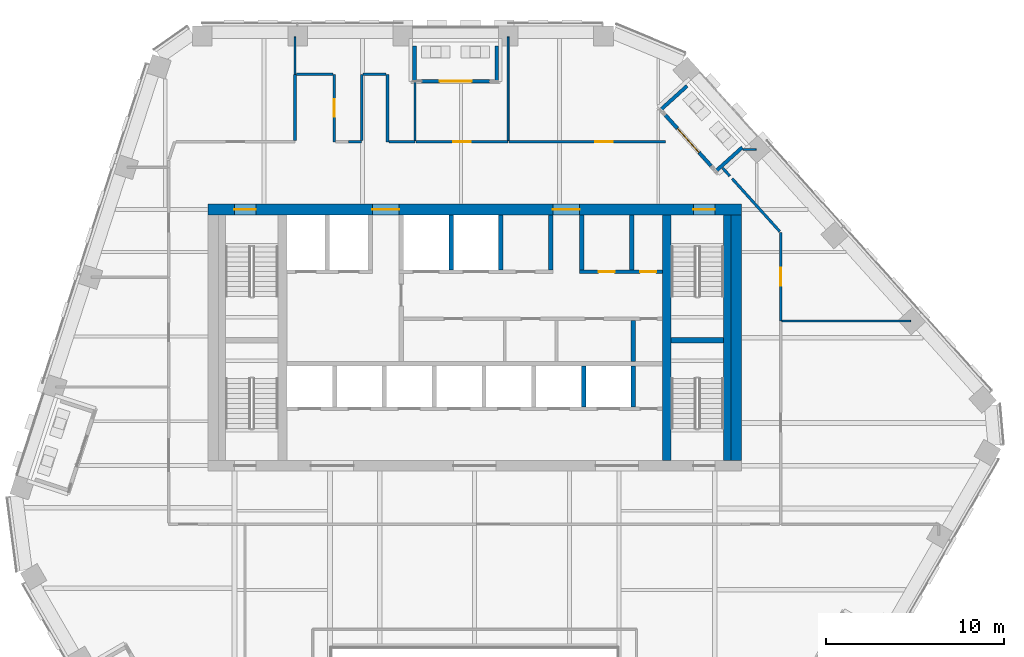
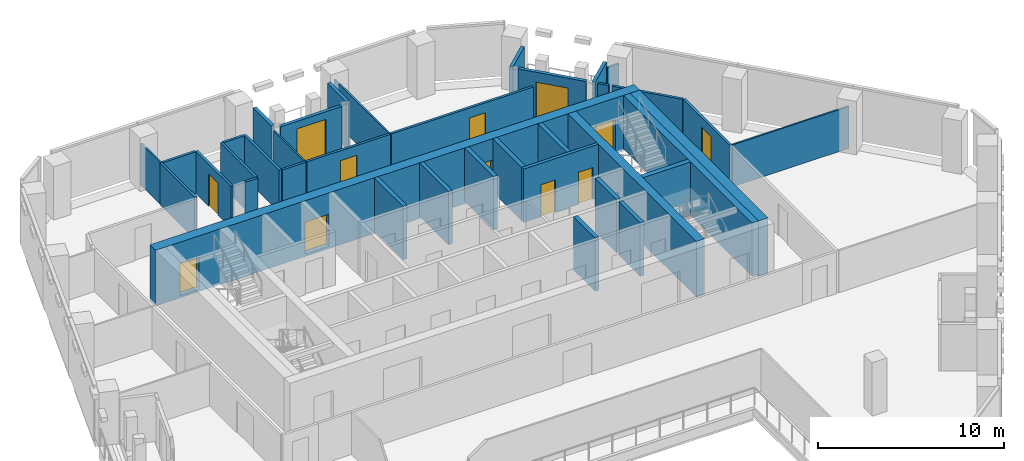
# One storey, part 17 of 24: 38 walls, 12 doors, 12 openings.
"""IFC4 building model written with IfcOpenShell, lengths in metres."""

from ifc_helpers import new_model, si_unit, direction, frame, frame_2d, origin, place, context, subcontext, project, spatial, rectangle, extrude, material, layer, layer_set, type_object, element, fill, save


model = new_model("IFC4")

# Units and contexts
model_context = context("Model", 3, precision=1e-05, world=origin(), true_north=direction((0.0, 1.0)))
body_context = subcontext(model_context, "Body", "Model", "MODEL_VIEW")
ifc_project = project(units=[si_unit("LENGTHUNIT", "METRE"), si_unit("AREAUNIT", "SQUARE_METRE"), si_unit("VOLUMEUNIT", "CUBIC_METRE"), si_unit("PLANEANGLEUNIT", "RADIAN"), si_unit("MASSUNIT", "GRAM", prefix="KILO")], contexts=[model_context])

# Site, building, storey
site_placement = place(None, origin())
site = spatial("IfcSite", under=ifc_project, at=site_placement, CompositionType="ELEMENT")
building_placement = place(site_placement, origin())
building = spatial("IfcBuilding", under=site, at=building_placement, Name="Isthmus Gate Tower", CompositionType="ELEMENT")
storey_placement = place(building_placement, frame((0.0, 0.0, 234.550048828125)))
storey = spatial("IfcBuildingStorey", under=building, at=storey_placement, Name="L59", CompositionType="ELEMENT", Elevation=234.550048828125)

# Wall, opening, door
ifc_material_1 = material(Name="Gypsum board on steel studs, fire-rated", Category="steel")
ifc_layer_1 = layer(ifc_material_1, 0.14990234375)
ifc_layer_set_1 = layer_set([ifc_layer_1], Name="CORRIDOR WALL 150 60 MIN")
wall_type_1 = type_object("IfcWallType", Name="CORRIDOR WALL 150 60 MIN", PredefinedType="PARTITIONING", material=ifc_layer_set_1)
wall_1_placement = place(storey_placement, frame((-7.89990234375, 22.300048828125, 0.0), z_axis=(0.0, 0.0, 1.0), x_axis=(0.0, -1.0, 0.0)))
wall_1 = element("IfcWall", 1, at=wall_1_placement, inside=storey, type_object=wall_type_1, Name="L59 Corridor Wall 150 60 Min", PredefinedType="PARTITIONING", context=body_context, shape_type="SweptSolid", body=[
    extrude(rectangle(XDim=3.800048828125, YDim=0.14990234375, at=frame_2d((1.89990234375, 0.0))), origin(), (0.0, 0.0, 1.0), 2.750732421875),
])
opening_1_placement = place(wall_1_placement, frame((1.39990234375, 0.0, 0.0)))
opening_1 = element("IfcOpeningElement", 2, at=opening_1_placement, cuts=wall_1, Name="Opening DT-T5B-02", PredefinedType="OPENING", context=body_context, shape_type="SweptSolid", body=[
    extrude(rectangle(XDim=1.0, YDim=2.10009765625, at=frame_2d((0.5, 1.050048828125))), frame((0.0, 0.0849609375, 0.0), z_axis=(0.0, -1.0, 0.0), x_axis=(1.0, 0.0, 0.0)), (0.0, 0.0, 1.0), 0.169921875),
])
ifc_material_2 = material(Name="Solid core timber door leaf, fire-rated", Category="wood")
door_type_1 = type_object("IfcDoorType", Name="FIRE DOOR ROOM 1000 X 2100 60 MIN", OperationType="SINGLE_SWING_LEFT", PredefinedType="DOOR", material=ifc_material_2)
door_1_placement = place(opening_1_placement, origin())
door_1 = element("IfcDoor", 3, at=door_1_placement, inside=storey, type_object=door_type_1, Name="L59 room door", OperationType="SINGLE_SWING_RIGHT", OverallHeight=2.10009765625, OverallWidth=1.0, PredefinedType="DOOR", context=body_context, shape_type="SweptSolid", body=[
    extrude(rectangle(XDim=1.0, YDim=2.10009765625, at=frame_2d((0.5, 1.050048828125))), frame((0.0, 0.02490234375, 0.0), z_axis=(0.0, -1.0, 0.0), x_axis=(1.0, 0.0, 0.0)), (0.0, 0.0, 1.0), 0.050048828125),
])
fill(opening_1, door_1)

# Wall
wall_2_placement = place(storey_placement, frame((-4.89990234375, 22.300048828125, 0.0), z_axis=(0.0, 0.0, 1.0), x_axis=(0.0, -1.0, 0.0)))
element("IfcWall", 4, at=wall_2_placement, inside=storey, type_object=wall_type_1, Name="L59 Corridor Wall 150 60 Min", PredefinedType="PARTITIONING", context=body_context, shape_type="SweptSolid", body=[
    extrude(rectangle(XDim=3.800048828125, YDim=0.14990234375, at=frame_2d((1.89990234375, 0.0))), origin(), (0.0, 0.0, 1.0), 2.750732421875),
])

# Wall, opening, door
wall_3_placement = place(storey_placement, frame((17.199951171875, 13.407958984375, 0.0), z_axis=(0.0, 0.0, 1.0), x_axis=(0.0, -1.0, 0.0)))
wall_3 = element("IfcWall", 5, at=wall_3_placement, inside=storey, type_object=wall_type_1, Name="L59 Corridor Wall 150 60 Min", PredefinedType="PARTITIONING", context=body_context, shape_type="SweptSolid", body=[
    extrude(rectangle(XDim=4.97998046875, YDim=0.14990234375, at=frame_2d((2.489990234375, 0.0))), origin(), (0.0, 0.0, 1.0), 2.750732421875),
])
opening_2_placement = place(wall_3_placement, frame((1.989990234375, 0.0, 0.0)))
opening_2 = element("IfcOpeningElement", 6, at=opening_2_placement, cuts=wall_3, Name="Opening DT-T5B-06", PredefinedType="OPENING", context=body_context, shape_type="SweptSolid", body=[
    extrude(rectangle(XDim=1.0, YDim=2.10009765625, at=frame_2d((0.5, 1.050048828125))), frame((0.0, 0.0849609375, 0.0), z_axis=(0.0, -1.0, 0.0), x_axis=(1.0, 0.0, 0.0)), (0.0, 0.0, 1.0), 0.169921875),
])
door_2_placement = place(opening_2_placement, origin())
door_2 = element("IfcDoor", 7, at=door_2_placement, inside=storey, type_object=door_type_1, Name="L59 room door", OperationType="SINGLE_SWING_LEFT", OverallHeight=2.10009765625, OverallWidth=1.0, PredefinedType="DOOR", context=body_context, shape_type="SweptSolid", body=[
    extrude(rectangle(XDim=1.0, YDim=2.10009765625, at=frame_2d((0.5, 1.050048828125))), frame((0.0, 0.02490234375, 0.0), z_axis=(0.0, -1.0, 0.0), x_axis=(1.0, 0.0, 0.0)), (0.0, 0.0, 1.0), 0.050048828125),
])
fill(opening_2, door_2)

# Walls
wall_4_placement = place(storey_placement, frame((-10.10009765625, 18.574951171875, 0.0), z_axis=(0.0, 0.0, 1.0), x_axis=(0.0, 1.0, 0.0)))
element("IfcWall", 8, at=wall_4_placement, inside=storey, type_object=wall_type_1, Name="L59 Corridor Wall 150 60 Min", PredefinedType="PARTITIONING", context=body_context, shape_type="SweptSolid", body=[
    extrude(rectangle(XDim=3.72509765625, YDim=0.14990234375, at=frame_2d((1.862548828125, 0.0))), origin(), (0.0, 0.0, 1.0), 2.750732421875),
])
wall_5_placement = place(storey_placement, frame((-10.02490234375, 22.300048828125, 0.0), z_axis=(0.0, 0.0, 1.0), x_axis=(1.0, 0.0, 0.0)))
element("IfcWall", 9, at=wall_5_placement, inside=storey, type_object=wall_type_1, Name="L59 Corridor Wall 150 60 Min", PredefinedType="PARTITIONING", context=body_context, shape_type="SweptSolid", body=[
    extrude(rectangle(XDim=2.0498046875, YDim=0.14990234375, at=frame_2d((1.02490234375, 0.0))), origin(), (0.0, 0.0, 1.0), 2.750732421875),
])
wall_6_placement = place(storey_placement, frame((-7.10205078125, 18.498046875, 0.0), z_axis=(0.0, 0.0, 1.0), x_axis=(1.0, 0.0, 0.0)))
element("IfcWall", 10, at=wall_6_placement, inside=storey, type_object=wall_type_1, Name="L59 Corridor Wall 150 60 Min", PredefinedType="PARTITIONING", context=body_context, shape_type="SweptSolid", body=[
    extrude(rectangle(XDim=0.754150390625, YDim=0.14990234375, at=frame_2d((0.376953125, 0.0))), origin(), (0.0, 0.0, 1.0), 2.750732421875),
])
wall_7_placement = place(storey_placement, frame((-6.347900390625, 18.572998046875, 0.0), z_axis=(0.0, 0.0, 1.0), x_axis=(0.0, 1.0, 0.0)))
element("IfcWall", 11, at=wall_7_placement, inside=storey, type_object=wall_type_1, Name="L59 Corridor Wall 150 60 Min", PredefinedType="PARTITIONING", context=body_context, shape_type="SweptSolid", body=[
    extrude(rectangle(XDim=3.72705078125, YDim=0.14990234375, at=frame_2d((1.863525390625, 0.0))), origin(), (0.0, 0.0, 1.0), 2.750732421875),
])
wall_8_placement = place(storey_placement, frame((-6.27294921875, 22.300048828125, 0.0), z_axis=(0.0, 0.0, 1.0), x_axis=(1.0, 0.0, 0.0)))
element("IfcWall", 12, at=wall_8_placement, inside=storey, type_object=wall_type_1, Name="L59 Corridor Wall 150 60 Min", PredefinedType="PARTITIONING", context=body_context, shape_type="SweptSolid", body=[
    extrude(rectangle(XDim=1.2978515625, YDim=0.14990234375, at=frame_2d((0.64892578125, 0.0))), origin(), (0.0, 0.0, 1.0), 2.750732421875),
])
wall_9_placement = place(storey_placement, frame((-4.824951171875, 18.5, 0.0), z_axis=(0.0, 0.0, 1.0), x_axis=(1.0, 0.0, 0.0)))
element("IfcWall", 13, at=wall_9_placement, inside=storey, type_object=wall_type_1, Name="L59 Corridor Wall 150 60 Min", PredefinedType="PARTITIONING", context=body_context, shape_type="SweptSolid", body=[
    extrude(rectangle(XDim=1.474853515625, YDim=0.14990234375, at=frame_2d((0.7373046875, 0.0))), origin(), (0.0, 0.0, 1.0), 2.750732421875),
])

# Wall, opening, door
wall_10_placement = place(storey_placement, frame((-3.300048828125, 18.5, 0.0), z_axis=(0.0, 0.0, 1.0), x_axis=(1.0, 0.0, 0.0)))
wall_10 = element("IfcWall", 14, at=wall_10_placement, inside=storey, type_object=wall_type_1, Name="L59 Corridor Wall 150 60 Min", PredefinedType="PARTITIONING", context=body_context, shape_type="SweptSolid", body=[
    extrude(rectangle(XDim=5.18115234375, YDim=0.14990234375, at=frame_2d((2.590576171875, 0.0))), origin(), (0.0, 0.0, 1.0), 2.750732421875),
])
opening_3_placement = place(wall_10_placement, frame((2.090576171875, 0.0, 0.0)))
opening_3 = element("IfcOpeningElement", 15, at=opening_3_placement, cuts=wall_10, Name="Opening DT-T5B-03", PredefinedType="OPENING", context=body_context, shape_type="SweptSolid", body=[
    extrude(rectangle(XDim=1.0, YDim=2.10009765625, at=frame_2d((0.5, 1.050048828125))), frame((0.0, 0.0849609375, 0.0), z_axis=(0.0, -1.0, 0.0), x_axis=(1.0, 0.0, 0.0)), (0.0, 0.0, 1.0), 0.169921875),
])
door_3_placement = place(opening_3_placement, origin())
door_3 = element("IfcDoor", 16, at=door_3_placement, inside=storey, type_object=door_type_1, Name="L59 room door", OperationType="SINGLE_SWING_RIGHT", OverallHeight=2.10009765625, OverallWidth=1.0, PredefinedType="DOOR", context=body_context, shape_type="SweptSolid", body=[
    extrude(rectangle(XDim=1.0, YDim=2.10009765625, at=frame_2d((0.5, 1.050048828125))), frame((0.0, 0.02490234375, 0.0), z_axis=(0.0, -1.0, 0.0), x_axis=(1.0, 0.0, 0.0)), (0.0, 0.0, 1.0), 0.050048828125),
])
fill(opening_3, door_3)

wall_11_placement = place(storey_placement, frame((1.930908203125, 18.5, 0.0), z_axis=(0.0, 0.0, 1.0), x_axis=(1.0, 0.0, 0.0)))
wall_11 = element("IfcWall", 17, at=wall_11_placement, inside=storey, type_object=wall_type_1, Name="L59 Corridor Wall 150 60 Min", PredefinedType="PARTITIONING", context=body_context, shape_type="SweptSolid", body=[
    extrude(rectangle(XDim=8.80908203125, YDim=0.14990234375, at=frame_2d((4.404541015625, 0.0))), origin(), (0.0, 0.0, 1.0), 2.750732421875),
])
opening_4_placement = place(wall_11_placement, frame((4.842041015625, 0.0, 0.0)))
opening_4 = element("IfcOpeningElement", 18, at=opening_4_placement, cuts=wall_11, Name="Opening DT-T5B-04", PredefinedType="OPENING", context=body_context, shape_type="SweptSolid", body=[
    extrude(rectangle(XDim=1.0, YDim=2.10009765625, at=frame_2d((0.5, 1.050048828125))), frame((0.0, 0.0849609375, 0.0), z_axis=(0.0, -1.0, 0.0), x_axis=(1.0, 0.0, 0.0)), (0.0, 0.0, 1.0), 0.169921875),
])
door_4_placement = place(opening_4_placement, origin())
door_4 = element("IfcDoor", 19, at=door_4_placement, inside=storey, type_object=door_type_1, Name="L59 room door", OperationType="SINGLE_SWING_RIGHT", OverallHeight=2.10009765625, OverallWidth=1.0, PredefinedType="DOOR", context=body_context, shape_type="SweptSolid", body=[
    extrude(rectangle(XDim=1.0, YDim=2.10009765625, at=frame_2d((0.5, 1.050048828125))), frame((0.0, 0.02490234375, 0.0), z_axis=(0.0, -1.0, 0.0), x_axis=(1.0, 0.0, 0.0)), (0.0, 0.0, 1.0), 0.050048828125),
])
fill(opening_4, door_4)

# Walls
wall_12_placement = place(storey_placement, frame((13.943603515625, 17.02392578125, 0.0), z_axis=(0.0, 0.0, 1.0), x_axis=(0.669076605274, -0.74319344472, 0.0)))
element("IfcWall", 20, at=wall_12_placement, inside=storey, type_object=wall_type_1, Name="L59 Corridor Wall 150 60 Min", PredefinedType="PARTITIONING", context=body_context, shape_type="SweptSolid", body=[
    extrude(rectangle(XDim=0.602783203125, YDim=0.14990234375, at=frame_2d((0.30126953125, 0.0))), origin(), (0.0, 0.0, 1.0), 2.750732421875),
])
wall_13_placement = place(storey_placement, frame((14.47607421875, 16.4326171875, 0.0), z_axis=(0.0, 0.0, 1.0), x_axis=(0.669204384193, -0.743078388985, 0.0)))
element("IfcWall", 21, at=wall_13_placement, inside=storey, type_object=wall_type_1, Name="L59 Corridor Wall 150 60 Min", PredefinedType="PARTITIONING", context=body_context, shape_type="SweptSolid", body=[
    extrude(rectangle(XDim=3.99560546875, YDim=0.14990234375, at=frame_2d((1.997802734375, 0.0))), origin(), (0.0, 0.0, 1.0), 2.750732421875),
])

# Wall, opening, door
ifc_material_3 = material(Name="Precast concrete C40/50", Category="concrete")
ifc_layer_2 = layer(ifc_material_3, 0.199951171875)
ifc_layer_set_2 = layer_set([ifc_layer_2], Name="LOGGIA WALL 200")
wall_type_2 = type_object("IfcWallType", Name="LOGGIA WALL 200", PredefinedType="SOLIDWALL", material=ifc_layer_set_2)
wall_14_placement = place(storey_placement, frame((0.83056640625, 21.89990234375, 0.0), z_axis=(0.0, 0.0, 1.0), x_axis=(-1.0, 0.0, 0.0)))
wall_14 = element("IfcWall", 22, at=wall_14_placement, inside=storey, type_object=wall_type_2, Name="LOGGIA BACK WALL", PredefinedType="SOLIDWALL", context=body_context, shape_type="SweptSolid", body=[
    extrude(rectangle(XDim=3.810546875, YDim=0.199951171875, at=frame_2d((1.9052734375, 0.0))), origin(), (0.0, 0.0, 1.0), 2.896728515625),
])
opening_5_placement = place(wall_14_placement, frame((1.00537109375, 0.0, 0.0)))
opening_5 = element("IfcOpeningElement", 23, at=opening_5_placement, cuts=wall_14, Name="Opening DE59-01", PredefinedType="OPENING", context=body_context, shape_type="SweptSolid", body=[
    extrude(rectangle(XDim=1.800048828125, YDim=2.39990234375, at=frame_2d((0.89990234375, 1.199951171875))), frame((0.0, 0.10986328125, 0.0), z_axis=(0.0, -1.0, 0.0), x_axis=(1.0, 0.0, 0.0)), (0.0, 0.0, 1.0), 0.219970703125),
])
ifc_material_4 = material(Name="Aluminium, pale champagne anodised, laminated glass", Category="aluminium")
door_type_2 = type_object("IfcDoorType", Name="LOGGIA DOOR SLIDING 1800 X 2400", OperationType="DOUBLE_DOOR_SLIDING", PredefinedType="DOOR", material=ifc_material_4)
door_5_placement = place(opening_5_placement, origin())
door_5 = element("IfcDoor", 24, at=door_5_placement, inside=storey, type_object=door_type_2, Name="DOOR DE59-01", OperationType="SINGLE_SWING_LEFT", OverallHeight=2.39990234375, OverallWidth=1.800048828125, PredefinedType="DOOR", context=body_context, shape_type="SweptSolid", body=[
    extrude(rectangle(XDim=1.800048828125, YDim=2.39990234375, at=frame_2d((0.89990234375, 1.199951171875))), frame((0.0, 0.02490234375, 0.0), z_axis=(0.0, -1.0, 0.0), x_axis=(1.0, 0.0, 0.0)), (0.0, 0.0, 1.0), 0.050048828125),
])
fill(opening_5, door_5)

# Walls
for number, where, z_axis, x_axis, name in (
    (25, (1.23046875, 23.89990234375, 0.0), (0.0, 0.0, 1.0), (0.0, -1.0, 0.0), "LOGGIA SIDE WALL"),
    (26, (-3.380126953125, 23.89990234375, 0.0), (0.0, 0.0, 1.0), (0.0, -1.0, 0.0), "LOGGIA SIDE WALL"),
):
    element("IfcWall", number, at=place(storey_placement, frame(where, z_axis=z_axis, x_axis=x_axis)), inside=storey, type_object=wall_type_2, Name=name, PredefinedType="SOLIDWALL", context=body_context, shape_type="SweptSolid", body=[
        extrude(rectangle(XDim=1.98388671875, YDim=0.199951171875, at=frame_2d((0.991943359375, 0.0))), origin(), (0.0, 0.0, 1.0), 3.050048828125),
    ])

# Wall, opening, door
wall_15_placement = place(storey_placement, frame((13.2919921875, 17.150390625, 0.0), z_axis=(0.0, 0.0, 1.0), x_axis=(-0.66915429884, 0.743123491988, 0.0)))
wall_15 = element("IfcWall", 27, at=wall_15_placement, inside=storey, type_object=wall_type_2, Name="LOGGIA BACK WALL", PredefinedType="SOLIDWALL", context=body_context, shape_type="SweptSolid", body=[
    extrude(rectangle(XDim=3.841796875, YDim=0.199951171875, at=frame_2d((1.9208984375, 0.0))), origin(), (0.0, 0.0, 1.0), 3.050048828125),
])
opening_6_placement = place(wall_15_placement, frame((1.02099609375, 0.0, 0.0)))
opening_6 = element("IfcOpeningElement", 28, at=opening_6_placement, cuts=wall_15, Name="Opening DE59-05", PredefinedType="OPENING", context=body_context, shape_type="SweptSolid", body=[
    extrude(rectangle(XDim=1.800048828125, YDim=2.39990234375, at=frame_2d((0.89990234375, 1.199951171875))), frame((0.0, 0.10986328125, 0.0), z_axis=(0.0, -1.0, 0.0), x_axis=(1.0, 0.0, 0.0)), (0.0, 0.0, 1.0), 0.219970703125),
])
door_6_placement = place(opening_6_placement, origin())
door_6 = element("IfcDoor", 29, at=door_6_placement, inside=storey, type_object=door_type_2, Name="DOOR DE59-05", OperationType="SINGLE_SWING_LEFT", OverallHeight=2.39990234375, OverallWidth=1.800048828125, PredefinedType="DOOR", context=body_context, shape_type="SweptSolid", body=[
    extrude(rectangle(XDim=1.800048828125, YDim=2.39990234375, at=frame_2d((0.89990234375, 1.199951171875))), frame((0.0, 0.02490234375, 0.0), z_axis=(0.0, -1.0, 0.0), x_axis=(1.0, 0.0, 0.0)), (0.0, 0.0, 1.0), 0.050048828125),
])
fill(opening_6, door_6)

# Walls
for number, where, z_axis, x_axis, name in (
    (30, (15.0458984375, 18.19140625, 0.0), (0.0, 0.0, 1.0), (-0.743116679126, -0.669161864727, 0.0), "LOGGIA SIDE WALL"),
    (31, (11.93994140625, 21.64111328125, 0.0), (0.0, 0.0, 1.0), (-0.743171771917, -0.669100678094, 0.0), "LOGGIA SIDE WALL"),
):
    element("IfcWall", number, at=place(storey_placement, frame(where, z_axis=z_axis, x_axis=x_axis)), inside=storey, type_object=wall_type_2, Name=name, PredefinedType="SOLIDWALL", context=body_context, shape_type="SweptSolid", body=[
        extrude(rectangle(XDim=1.984130859375, YDim=0.199951171875, at=frame_2d((0.9921875, 0.0))), origin(), (0.0, 0.0, 1.0), 3.050048828125),
    ])
ifc_material_5 = material(Name="Concrete f'c 50 MPa", Category="concrete")
ifc_layer_3 = layer(ifc_material_5, 0.5)
ifc_layer_set_3 = layer_set([ifc_layer_3], Name="RC CORE SPINE WALL 500 F'C 50")
wall_type_3 = type_object("IfcWallType", Name="RC CORE SPINE WALL 500 F'C 50", PredefinedType="SOLIDWALL", material=ifc_layer_set_3)
wall_16_placement = place(storey_placement, frame((10.800048828125, 0.60009765625, -0.150146484375), z_axis=(0.0, 0.0, 1.0), x_axis=(0.0, 1.0, 0.0)))
element("IfcWall", 32, at=wall_16_placement, inside=storey, type_object=wall_type_3, Name="str-corewall-L59-SPE", PredefinedType="SOLIDWALL", context=body_context, shape_type="SweptSolid", body=[
    extrude(rectangle(XDim=13.7998046875, YDim=0.5, at=frame_2d((6.89990234375, 0.0))), origin(), (0.0, 0.0, 1.0), 3.650146484375),
])

# Wall, openings, doors
ifc_material_6 = material(Name="Concrete f'c 50 MPa", Category="concrete")
ifc_layer_4 = layer(ifc_material_6, 0.60009765625)
ifc_layer_set_4 = layer_set([ifc_layer_4], Name="RC CORE WALL 600 F'C 50")
wall_type_4 = type_object("IfcWallType", Name="RC CORE WALL 600 F'C 50", PredefinedType="SOLIDWALL", material=ifc_layer_set_4)
wall_17_placement = place(storey_placement, frame((-15.0, 14.699951171875, -0.150146484375), z_axis=(0.0, 0.0, 1.0), x_axis=(1.0, 0.0, 0.0)))
wall_17 = element("IfcWall", 33, at=wall_17_placement, inside=storey, type_object=wall_type_4, Name="str-corewall-L59-N", PredefinedType="SOLIDWALL", context=body_context, shape_type="SweptSolid", body=[
    extrude(rectangle(XDim=30.0, YDim=0.60009765625, at=frame_2d((15.0, 0.0))), origin(), (0.0, 0.0, 1.0), 3.650146484375),
])
opening_7_placement = place(wall_17_placement, frame((9.25, 0.0, 0.14990234375)))
opening_7 = element("IfcOpeningElement", 34, at=opening_7_placement, cuts=wall_17, Name="Opening DC-A17-13", PredefinedType="OPENING", context=body_context, shape_type="SweptSolid", body=[
    extrude(rectangle(XDim=1.5, YDim=2.10009765625, at=frame_2d((0.75, 1.050048828125))), frame((0.0, 0.31005859375, 0.0), z_axis=(0.0, -1.0, 0.0), x_axis=(1.0, 0.0, 0.0)), (0.0, 0.0, 1.0), 0.6201171875),
])
opening_8_placement = place(wall_17_placement, frame((19.39990234375, 0.0, 0.14990234375)))
opening_8 = element("IfcOpeningElement", 35, at=opening_8_placement, cuts=wall_17, Name="Opening DC-A17-14", PredefinedType="OPENING", context=body_context, shape_type="SweptSolid", body=[
    extrude(rectangle(XDim=1.5, YDim=2.10009765625, at=frame_2d((0.75, 1.050048828125))), frame((0.0, 0.31005859375, 0.0), z_axis=(0.0, -1.0, 0.0), x_axis=(1.0, 0.0, 0.0)), (0.0, 0.0, 1.0), 0.6201171875),
])
opening_9_placement = place(wall_17_placement, frame((1.5, 0.0, 0.14990234375)))
opening_9 = element("IfcOpeningElement", 36, at=opening_9_placement, cuts=wall_17, Name="Opening DC-A17-15", PredefinedType="OPENING", context=body_context, shape_type="SweptSolid", body=[
    extrude(rectangle(XDim=1.199951171875, YDim=2.10009765625, at=frame_2d((0.60009765625, 1.050048828125))), frame((0.0, 0.31005859375, 0.0), z_axis=(0.0, -1.0, 0.0), x_axis=(1.0, 0.0, 0.0)), (0.0, 0.0, 1.0), 0.6201171875),
])
opening_10_placement = place(wall_17_placement, frame((27.300048828125, 0.0, 0.14990234375)))
opening_10 = element("IfcOpeningElement", 37, at=opening_10_placement, cuts=wall_17, Name="Opening DC-A17-16", PredefinedType="OPENING", context=body_context, shape_type="SweptSolid", body=[
    extrude(rectangle(XDim=1.199951171875, YDim=2.10009765625, at=frame_2d((0.60009765625, 1.050048828125))), frame((0.0, 0.31005859375, 0.0), z_axis=(0.0, -1.0, 0.0), x_axis=(1.0, 0.0, 0.0)), (0.0, 0.0, 1.0), 0.6201171875),
])
ifc_material_7 = material(Name="Steel door leaf, fire-rated", Category="steel")
door_type_3 = type_object("IfcDoorType", Name="LOBBY FIRE DOOR 1500 X 2100 60 MIN", OperationType="DOUBLE_DOOR_SINGLE_SWING", PredefinedType="DOOR", material=ifc_material_7)
door_7_placement = place(opening_8_placement, origin())
door_7 = element("IfcDoor", 38, at=door_7_placement, inside=storey, type_object=door_type_3, Name="Lobby Door PN-E", OperationType="DOUBLE_DOOR_SINGLE_SWING", OverallHeight=2.10009765625, OverallWidth=1.5, PredefinedType="DOOR", context=body_context, shape_type="SweptSolid", body=[
    extrude(rectangle(XDim=1.5, YDim=2.10009765625, at=frame_2d((0.75, 1.050048828125))), frame((0.0, 0.02490234375, 0.0), z_axis=(0.0, -1.0, 0.0), x_axis=(1.0, 0.0, 0.0)), (0.0, 0.0, 1.0), 0.050048828125),
])
fill(opening_8, door_7)
ifc_material_8 = material(Name="Steel door leaf, fire-rated", Category="steel")
door_type_4 = type_object("IfcDoorType", Name="LOBBY FIRE DOOR 1500 X 2100 90 MIN", OperationType="DOUBLE_DOOR_SINGLE_SWING", PredefinedType="DOOR", material=ifc_material_8)
door_8_placement = place(opening_7_placement, origin())
door_8 = element("IfcDoor", 39, at=door_8_placement, inside=storey, type_object=door_type_4, Name="Lobby Door PN-W", OperationType="DOUBLE_DOOR_SINGLE_SWING", OverallHeight=2.10009765625, OverallWidth=1.5, PredefinedType="DOOR", context=body_context, shape_type="SweptSolid", body=[
    extrude(rectangle(XDim=1.5, YDim=2.10009765625, at=frame_2d((0.75, 1.050048828125))), frame((0.0, 0.02490234375, 0.0), z_axis=(0.0, -1.0, 0.0), x_axis=(1.0, 0.0, 0.0)), (0.0, 0.0, 1.0), 0.050048828125),
])
fill(opening_7, door_8)
ifc_material_9 = material(Name="Steel door leaf, fire-rated", Category="steel")
door_type_5 = type_object("IfcDoorType", Name="STAIR FIRE DOOR 1200 X 2100 90 MIN", OperationType="SINGLE_SWING_LEFT", PredefinedType="DOOR", material=ifc_material_9)
door_9_placement = place(opening_9_placement, origin())
door_9 = element("IfcDoor", 40, at=door_9_placement, inside=storey, type_object=door_type_5, Name="Exit Stair 1 Door", OperationType="SINGLE_SWING_RIGHT", OverallHeight=2.10009765625, OverallWidth=1.199951171875, PredefinedType="DOOR", context=body_context, shape_type="SweptSolid", body=[
    extrude(rectangle(XDim=1.199951171875, YDim=2.10009765625, at=frame_2d((0.60009765625, 1.050048828125))), frame((0.0, 0.02490234375, 0.0), z_axis=(0.0, -1.0, 0.0), x_axis=(1.0, 0.0, 0.0)), (0.0, 0.0, 1.0), 0.050048828125),
])
fill(opening_9, door_9)
door_10_placement = place(opening_10_placement, origin())
door_10 = element("IfcDoor", 41, at=door_10_placement, inside=storey, type_object=door_type_5, Name="Exit Stair 2 Door", OperationType="SINGLE_SWING_LEFT", OverallHeight=2.10009765625, OverallWidth=1.199951171875, PredefinedType="DOOR", context=body_context, shape_type="SweptSolid", body=[
    extrude(rectangle(XDim=1.199951171875, YDim=2.10009765625, at=frame_2d((0.60009765625, 1.050048828125))), frame((0.0, 0.02490234375, 0.0), z_axis=(0.0, -1.0, 0.0), x_axis=(1.0, 0.0, 0.0)), (0.0, 0.0, 1.0), 0.050048828125),
])
fill(opening_10, door_10)

# Walls
wall_18_placement = place(storey_placement, frame((14.699951171875, 0.60009765625, -0.150146484375), z_axis=(0.0, 0.0, 1.0), x_axis=(0.0, 1.0, 0.0)))
element("IfcWall", 42, at=wall_18_placement, inside=storey, type_object=wall_type_4, Name="str-corewall-L59-E", PredefinedType="SOLIDWALL", context=body_context, shape_type="SweptSolid", body=[
    extrude(rectangle(XDim=13.7998046875, YDim=0.60009765625, at=frame_2d((6.89990234375, 0.0))), origin(), (0.0, 0.0, 1.0), 3.650146484375),
])
ifc_material_10 = material(Name="Gypsum board on steel studs, fire-rated", Category="steel")
ifc_layer_5 = layer(ifc_material_10, 0.10009765625)
ifc_layer_set_5 = layer_set([ifc_layer_5], Name="ROOM PARTITION 100 30 MIN")
wall_type_5 = type_object("IfcWallType", Name="ROOM PARTITION 100 30 MIN", PredefinedType="PARTITIONING", material=ifc_layer_set_5)
wall_19_placement = place(storey_placement, frame((-10.10205078125, 22.300048828125, 0.0), z_axis=(0.0, 0.0, 1.0), x_axis=(0.0, 1.0, 0.0)))
element("IfcWall", 43, at=wall_19_placement, inside=storey, type_object=wall_type_5, Name="L59 Room Partition 100 30 Min", PredefinedType="PARTITIONING", context=body_context, shape_type="SweptSolid", body=[
    extrude(rectangle(XDim=2.099853515625, YDim=0.10009765625, at=frame_2d((1.0498046875, 0.0))), origin(), (0.0, 0.0, 1.0), 2.750732421875),
])
wall_20_placement = place(storey_placement, frame((-3.35009765625, 18.574951171875, 0.0), z_axis=(0.0, 0.0, 1.0), x_axis=(0.0, 1.0, 0.0)))
element("IfcWall", 44, at=wall_20_placement, inside=storey, type_object=wall_type_5, Name="L59 Room Partition 100 30 Min", PredefinedType="PARTITIONING", context=body_context, shape_type="SweptSolid", body=[
    extrude(rectangle(XDim=3.279052734375, YDim=0.10009765625, at=frame_2d((1.6396484375, 0.0))), origin(), (0.0, 0.0, 1.0), 2.750732421875),
])
wall_21_placement = place(storey_placement, frame((1.881103515625, 18.574951171875, 0.0), z_axis=(0.0, 0.0, 1.0), x_axis=(0.0, 1.0, 0.0)))
element("IfcWall", 45, at=wall_21_placement, inside=storey, type_object=wall_type_5, Name="L59 Room Partition 100 30 Min", PredefinedType="PARTITIONING", context=body_context, shape_type="SweptSolid", body=[
    extrude(rectangle(XDim=5.824951171875, YDim=0.10009765625, at=frame_2d((2.91259765625, 0.0))), origin(), (0.0, 0.0, 1.0), 2.750732421875),
])
wall_22_placement = place(storey_placement, frame((15.09716796875, 18.075927734375, 0.0), z_axis=(0.0, 0.0, 1.0), x_axis=(1.0, 0.0, 0.0)))
element("IfcWall", 46, at=wall_22_placement, inside=storey, type_object=wall_type_5, Name="L59 Room Partition 100 30 Min", PredefinedType="PARTITIONING", context=body_context, shape_type="SweptSolid", body=[
    extrude(rectangle(XDim=0.724853515625, YDim=0.10009765625, at=frame_2d((0.3623046875, 0.0))), origin(), (0.0, 0.0, 1.0), 2.750732421875),
])
wall_23_placement = place(storey_placement, frame((17.27490234375, 8.427978515625, 0.0), z_axis=(0.0, 0.0, 1.0), x_axis=(1.0, 0.0, 0.0)))
element("IfcWall", 47, at=wall_23_placement, inside=storey, type_object=wall_type_5, Name="L59 Room Partition 100 30 Min", PredefinedType="PARTITIONING", context=body_context, shape_type="SweptSolid", body=[
    extrude(rectangle(XDim=7.235107421875, YDim=0.10009765625, at=frame_2d((3.61767578125, 0.0))), origin(), (0.0, 0.0, 1.0), 2.750732421875),
])

# Wall, openings, doors
ifc_material_11 = material(Name="Fire-rated blockwork masonry, 15 MPa", Category="masonry")
ifc_layer_6 = layer(ifc_material_11, 0.199951171875)
ifc_layer_set_6 = layer_set([ifc_layer_6], Name="SHAFT FRONT WALL 200 120 MIN")
wall_type_6 = type_object("IfcWallType", Name="SHAFT FRONT WALL 200 120 MIN", PredefinedType="PARTITIONING", material=ifc_layer_set_6)
wall_24_placement = place(storey_placement, frame((5.89990234375, 11.199951171875, 0.0), z_axis=(0.0, 0.0, 1.0), x_axis=(1.0, 0.0, 0.0)))
wall_24 = element("IfcWall", 48, at=wall_24_placement, inside=storey, type_object=wall_type_6, Name="L59 SHAFT FRONT WALL 200 120 MIN", PredefinedType="PARTITIONING", context=body_context, shape_type="SweptSolid", body=[
    extrude(rectangle(XDim=4.650146484375, YDim=0.199951171875, at=frame_2d((2.3251953125, 0.0))), origin(), (0.0, 0.0, 1.0), 3.5),
])
opening_11_placement = place(wall_24_placement, frame((1.074951171875, 0.0, 0.0)))
opening_11 = element("IfcOpeningElement", 49, at=opening_11_placement, cuts=wall_24, Name="Opening DC-A17-08", PredefinedType="OPENING", context=body_context, shape_type="SweptSolid", body=[
    extrude(rectangle(XDim=0.89990234375, YDim=2.10009765625, at=frame_2d((0.449951171875, 1.050048828125))), frame((0.0, 0.10986328125, 0.0), z_axis=(0.0, -1.0, 0.0), x_axis=(1.0, 0.0, 0.0)), (0.0, 0.0, 1.0), 0.219970703125),
])
opening_12_placement = place(wall_24_placement, frame((3.39990234375, 0.0, 0.0)))
opening_12 = element("IfcOpeningElement", 50, at=opening_12_placement, cuts=wall_24, Name="Opening DC-A17-09", PredefinedType="OPENING", context=body_context, shape_type="SweptSolid", body=[
    extrude(rectangle(XDim=0.89990234375, YDim=2.10009765625, at=frame_2d((0.449951171875, 1.050048828125))), frame((0.0, 0.10986328125, 0.0), z_axis=(0.0, -1.0, 0.0), x_axis=(1.0, 0.0, 0.0)), (0.0, 0.0, 1.0), 0.219970703125),
])
ifc_material_12 = material(Name="Steel door leaf, fire-rated", Category="steel")
door_type_6 = type_object("IfcDoorType", Name="FIRE DOOR 900 X 2100 60 MIN", OperationType="SINGLE_SWING_LEFT", PredefinedType="DOOR", material=ifc_material_12)
door_11_placement = place(opening_11_placement, origin())
door_11 = element("IfcDoor", 51, at=door_11_placement, inside=storey, type_object=door_type_6, Name="Cleaner Store Door", OperationType="SINGLE_SWING_RIGHT", OverallHeight=2.10009765625, OverallWidth=0.89990234375, PredefinedType="DOOR", context=body_context, shape_type="SweptSolid", body=[
    extrude(rectangle(XDim=0.89990234375, YDim=2.10009765625, at=frame_2d((0.449951171875, 1.050048828125))), frame((0.0, 0.02490234375, 0.0), z_axis=(0.0, -1.0, 0.0), x_axis=(1.0, 0.0, 0.0)), (0.0, 0.0, 1.0), 0.050048828125),
])
fill(opening_11, door_11)
ifc_material_13 = material(Name="Steel door leaf, fire-rated", Category="steel")
door_type_7 = type_object("IfcDoorType", Name="RISER FIRE DOOR 900 X 2100 90 MIN", OperationType="SINGLE_SWING_LEFT", PredefinedType="DOOR", material=ifc_material_13)
door_12_placement = place(opening_12_placement, origin())
door_12 = element("IfcDoor", 52, at=door_12_placement, inside=storey, type_object=door_type_7, Name="Riser Door", OperationType="SINGLE_SWING_LEFT", OverallHeight=2.10009765625, OverallWidth=0.89990234375, PredefinedType="DOOR", context=body_context, shape_type="SweptSolid", body=[
    extrude(rectangle(XDim=0.89990234375, YDim=2.10009765625, at=frame_2d((0.449951171875, 1.050048828125))), frame((0.0, 0.02490234375, 0.0), z_axis=(0.0, -1.0, 0.0), x_axis=(1.0, 0.0, 0.0)), (0.0, 0.0, 1.0), 0.050048828125),
])
fill(opening_12, door_12)

# Walls
ifc_material_14 = material(Name="Fire-rated blockwork masonry, 15 MPa", Category="masonry")
ifc_layer_7 = layer(ifc_material_14, 0.25)
ifc_layer_set_7 = layer_set([ifc_layer_7], Name="SHAFT WALL 250 120 MIN")
wall_type_7 = type_object("IfcWallType", Name="SHAFT WALL 250 120 MIN", PredefinedType="PARTITIONING", material=ifc_layer_set_7)
for number, where, z_axis, x_axis, name in (
    (53, (6.125, 3.60009765625, 0.0), (0.0, 0.0, 1.0), (0.0, 1.0, 0.0), "L59 SHAFT WALL 250 120 MIN"),
    (54, (8.925048828125, 3.60009765625, 0.0), (0.0, 0.0, 1.0), (0.0, 1.0, 0.0), "L59 SHAFT WALL 250 120 MIN"),
):
    element("IfcWall", number, at=place(storey_placement, frame(where, z_axis=z_axis, x_axis=x_axis)), inside=storey, type_object=wall_type_7, Name=name, PredefinedType="PARTITIONING", context=body_context, shape_type="SweptSolid", body=[
        extrude(rectangle(XDim=2.2998046875, YDim=0.25, at=frame_2d((1.14990234375, 0.0))), origin(), (0.0, 0.0, 1.0), 3.5),
    ])
wall_25_placement = place(storey_placement, frame((8.925048828125, 6.14990234375, 0.0), z_axis=(0.0, 0.0, 1.0), x_axis=(0.0, 1.0, 0.0)))
element("IfcWall", 55, at=wall_25_placement, inside=storey, type_object=wall_type_7, Name="L59 SHAFT WALL 250 120 MIN", PredefinedType="PARTITIONING", context=body_context, shape_type="SweptSolid", body=[
    extrude(rectangle(XDim=2.300048828125, YDim=0.25, at=frame_2d((1.14990234375, 0.0))), origin(), (0.0, 0.0, 1.0), 3.5),
])
for number, where, z_axis, x_axis, name in (
    (56, (-1.324951171875, 11.300048828125, 0.0), (0.0, 0.0, 1.0), (0.0, 1.0, 0.0), "L59 SHAFT WALL 250 120 MIN"),
    (57, (1.47509765625, 11.300048828125, 0.0), (0.0, 0.0, 1.0), (0.0, 1.0, 0.0), "L59 SHAFT WALL 250 120 MIN"),
    (58, (4.27490234375, 11.300048828125, 0.0), (0.0, 0.0, 1.0), (0.0, 1.0, 0.0), "L59 SHAFT WALL 250 120 MIN"),
    (59, (6.02490234375, 11.300048828125, 0.0), (0.0, 0.0, 1.0), (0.0, 1.0, 0.0), "L59 SHAFT WALL 250 120 MIN"),
    (60, (8.824951171875, 11.300048828125, 0.0), (0.0, 0.0, 1.0), (0.0, 1.0, 0.0), "L59 SHAFT WALL 250 120 MIN"),
):
    element("IfcWall", number, at=place(storey_placement, frame(where, z_axis=z_axis, x_axis=x_axis)), inside=storey, type_object=wall_type_7, Name=name, PredefinedType="PARTITIONING", context=body_context, shape_type="SweptSolid", body=[
        extrude(rectangle(XDim=3.099853515625, YDim=0.25, at=frame_2d((1.5498046875, 0.0))), origin(), (0.0, 0.0, 1.0), 3.5),
    ])
ifc_material_15 = material(Name="Concrete f'c 40 MPa", Category="concrete")
ifc_layer_8 = layer(ifc_material_15, 0.300048828125)
ifc_layer_set_8 = layer_set([ifc_layer_8], Name="STAIR ENCLOSURE WALL 300 180 MIN")
wall_type_8 = type_object("IfcWallType", Name="STAIR ENCLOSURE WALL 300 180 MIN", PredefinedType="SOLIDWALL", material=ifc_layer_set_8)
wall_26_placement = place(storey_placement, frame((11.050048828125, 7.35009765625, 0.0), z_axis=(0.0, 0.0, 1.0), x_axis=(1.0, 0.0, 0.0)))
element("IfcWall", 61, at=wall_26_placement, inside=storey, type_object=wall_type_8, Name="L59 STAIR ENCLOSURE WALL 300 180 MIN", PredefinedType="SOLIDWALL", context=body_context, shape_type="SweptSolid", body=[
    extrude(rectangle(XDim=2.949951171875, YDim=0.300048828125, at=frame_2d((1.47509765625, 0.0))), origin(), (0.0, 0.0, 1.0), 3.5),
])
ifc_material_16 = material(Name="Concrete f'c 40 MPa", Category="concrete")
ifc_layer_9 = layer(ifc_material_16, 0.39990234375)
ifc_layer_set_9 = layer_set([ifc_layer_9], Name="STAIR ENCLOSURE WALL 400 180 MIN")
wall_type_9 = type_object("IfcWallType", Name="STAIR ENCLOSURE WALL 400 180 MIN", PredefinedType="SOLIDWALL", material=ifc_layer_set_9)
wall_27_placement = place(storey_placement, frame((14.199951171875, 0.60009765625, 0.0), z_axis=(0.0, 0.0, 1.0), x_axis=(0.0, 1.0, 0.0)))
element("IfcWall", 62, at=wall_27_placement, inside=storey, type_object=wall_type_9, Name="L59 STAIR ENCLOSURE WALL 400 180 MIN", PredefinedType="SOLIDWALL", context=body_context, shape_type="SweptSolid", body=[
    extrude(rectangle(XDim=13.7998046875, YDim=0.39990234375, at=frame_2d((6.89990234375, 0.0))), origin(), (0.0, 0.0, 1.0), 3.5),
])

save(model, "model.ifc")
